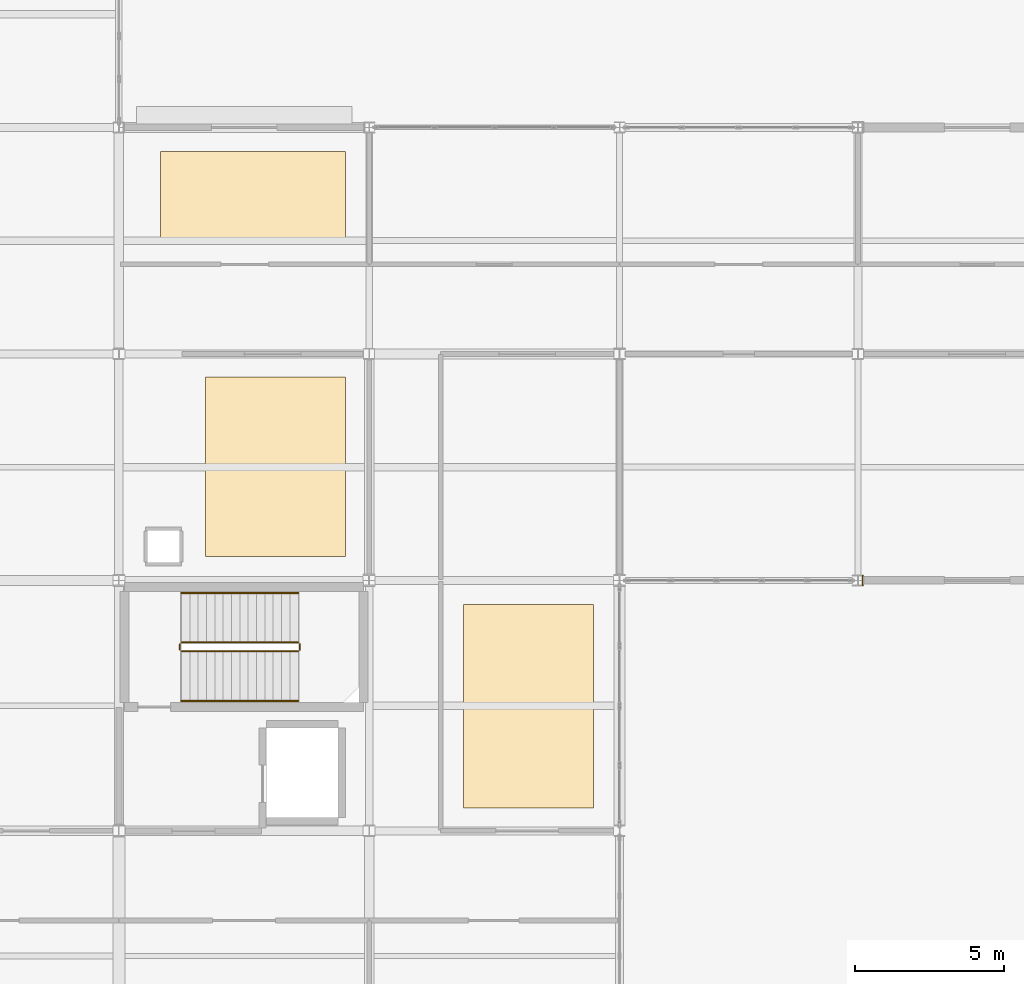
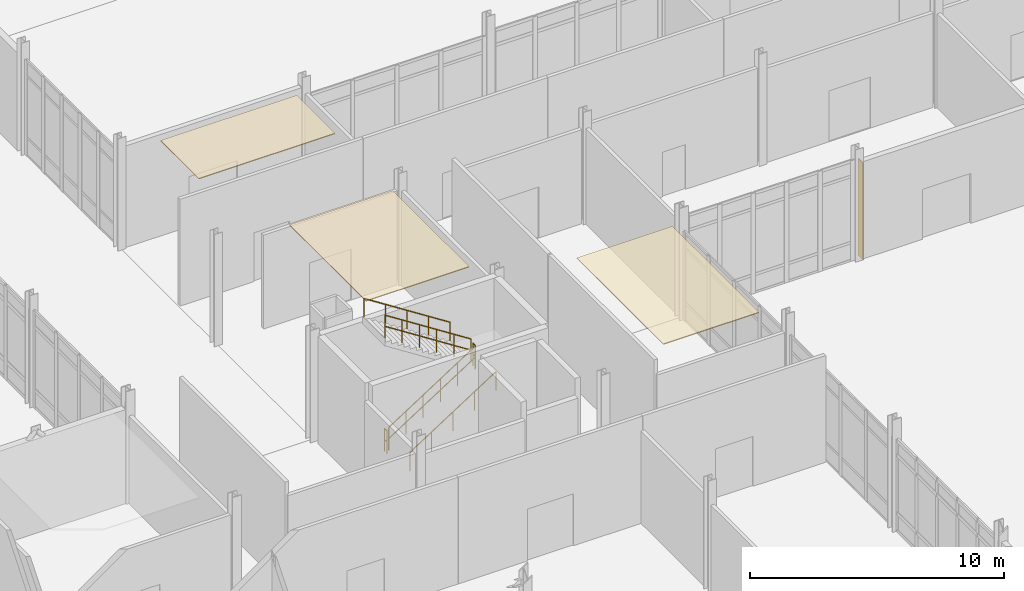
# One storey, part 211 of 229: 6 railings, 4 coverings.
"""IFC4 building model written with IfcOpenShell, lengths in metres."""

from ifc_helpers import new_model, si_unit, direction, frame, origin, origin_2d, place, context, subcontext, project, spatial, polyline, circle, outline, extrude, material, layer, layer_set, type_object, element, save


model = new_model("IFC4")

# Units and contexts
model_context = context("Model", 3, precision=1e-05, world=origin(), true_north=direction((0.0, 1.0)))
body_context = subcontext(model_context, "Body", "Model", "MODEL_VIEW")
ifc_project = project(units=[si_unit("LENGTHUNIT", "METRE"), si_unit("AREAUNIT", "SQUARE_METRE"), si_unit("VOLUMEUNIT", "CUBIC_METRE"), si_unit("PLANEANGLEUNIT", "RADIAN"), si_unit("MASSUNIT", "GRAM", prefix="KILO")], contexts=[model_context])

# Site, building, storey
site_placement = place(None, origin())
site = spatial("IfcSite", under=ifc_project, at=site_placement, CompositionType="ELEMENT")
building_placement = place(site_placement, origin())
building = spatial("IfcBuilding", under=site, at=building_placement, Name="Calvrana Isthmian Art Gallery", CompositionType="ELEMENT")
storey_placement = place(building_placement, origin())
storey = spatial("IfcBuildingStorey", under=building, at=storey_placement, Name="L00", CompositionType="ELEMENT", Elevation=0.0)

# Coverings
ifc_material_1 = material(Name="Acoustic gypsum ceiling", Category="gypsum")
ifc_layer_1 = layer(ifc_material_1, 0.0400390625, Name="Acoustic gypsum ceiling")
ifc_layer_set_1 = layer_set([ifc_layer_1], Name="Acoustic gypsum ceiling")
covering_type_1 = type_object("IfcCoveringType", Name="COV-CEIL-ACOUST", PredefinedType="CEILING", material=ifc_layer_set_1)
covering_1_placement = place(storey_placement, frame((0.0, 0.0, 5.1220703125)))
element("IfcCovering", 1, at=covering_1_placement, inside=storey, type_object=covering_type_1, Name="Gallery acoustic ceiling 03", PredefinedType="CEILING", context=body_context, shape_type="SweptSolid", body=[
    extrude(outline(polyline([(75.169921875, 39.169921875), (79.530029296875, 39.169921875), (79.530029296875, 46.0), (75.169921875, 46.0), (75.169921875, 39.169921875)])), origin(), (0.0, 0.0, 1.0), 0.0400390625),
])
covering_2_placement = place(storey_placement, frame((0.0, 0.0, 5.1220703125)))
element("IfcCovering", 2, at=covering_2_placement, inside=storey, type_object=covering_type_1, Name="Gallery acoustic ceiling 08", PredefinedType="CEILING", context=body_context, shape_type="SweptSolid", body=[
    extrude(outline(polyline([(66.5, 47.60009765625), (71.199951171875, 47.60009765625), (71.199951171875, 53.6298828125), (66.5, 53.6298828125), (66.5, 47.60009765625)])), origin(), (0.0, 0.0, 1.0), 0.0400390625),
])
covering_3_placement = place(storey_placement, frame((0.0, 0.0, 5.1220703125)))
element("IfcCovering", 3, at=covering_3_placement, inside=storey, type_object=covering_type_1, Name="Gallery acoustic ceiling 09", PredefinedType="CEILING", context=body_context, shape_type="SweptSolid", body=[
    extrude(outline(polyline([(65.0, 58.179931640625), (71.199951171875, 58.179931640625), (71.199951171875, 61.199951171875), (65.0, 61.199951171875), (65.0, 58.179931640625)])), origin(), (0.0, 0.0, 1.0), 0.0400390625),
])
ifc_material_2 = material(Name="Polychrome glazed terracotta", Category="masonry")
ifc_layer_2 = layer(ifc_material_2, 0.0400390625, Name="Polychrome glazed terracotta")
ifc_layer_set_2 = layer_set([ifc_layer_2], Name="Polychrome glazed terracotta")
covering_type_2 = type_object("IfcCoveringType", Name="COV-CLAD-TERRA", PredefinedType="CLADDING", material=ifc_layer_set_2)
covering_4_placement = place(storey_placement, origin())
element("IfcCovering", 4, at=covering_4_placement, inside=storey, type_object=covering_type_2, Name="Column pocket weather closure L00-11-06-W", PredefinedType="CLADDING", context=body_context, shape_type="SweptSolid", body=[
    extrude(outline(polyline([(88.5439453125, 46.626953125), (88.583984375, 46.626953125), (88.583984375, 46.972900390625), (88.5439453125, 46.972900390625), (88.5439453125, 46.626953125)])), origin(), (0.0, 0.0, 1.0), 4.677978515625),
])

# Railings
ifc_material_3 = material(Name="Stainless steel 316", Category="steel")
railing_type_1 = type_object("IfcRailingType", Name="RL-GUARD-1120", PredefinedType="BALUSTRADE", material=ifc_material_3)
railing_1_placement = place(storey_placement, frame((65.699951171875, 44.419921875, 0.179931640625)))
element("IfcRailing", 5, at=railing_1_placement, inside=storey, type_object=railing_type_1, Name="Stair ST-2 guard L00-1", PredefinedType="BALUSTRADE", context=body_context, shape_type="SweptSolid", body=[
    extrude(circle(Radius=0.02392578125, at=origin_2d()), frame((0.0, 0.0, 1.09619140625), z_axis=(0.841186985886, 0.0, 0.540744352514), x_axis=(0.0, 1.0, 0.0)), (0.0, 0.0, 1.0), 4.660400390625),
    extrude(circle(Radius=0.02392578125, at=origin_2d()), frame((0.0, 0.0, 0.56005859375), z_axis=(0.841186985886, 0.0, 0.540744352514), x_axis=(0.0, 1.0, 0.0)), (0.0, 0.0, 1.0), 4.660400390625),
    extrude(circle(Radius=0.02099609375, at=origin_2d()), origin(), (0.0, 0.0, 1.0), 1.072021484375),
    extrude(circle(Radius=0.02099609375, at=origin_2d()), frame((0.783935546875, 0.0, 0.50390625)), (0.0, 0.0, 1.0), 1.072021484375),
    extrude(circle(Radius=0.02099609375, at=origin_2d()), frame((1.568115234375, 0.0, 1.008056640625)), (0.0, 0.0, 1.0), 1.072021484375),
    extrude(circle(Radius=0.02099609375, at=origin_2d()), frame((2.35205078125, 0.0, 1.511962890625)), (0.0, 0.0, 1.0), 1.072021484375),
    extrude(circle(Radius=0.02099609375, at=origin_2d()), frame((3.13623046875, 0.0, 2.01611328125)), (0.0, 0.0, 1.0), 1.072021484375),
    extrude(circle(Radius=0.02099609375, at=origin_2d()), frame((3.920166015625, 0.0, 2.52001953125)), (0.0, 0.0, 1.0), 1.072021484375),
])
railing_2_placement = place(storey_placement, frame((69.669921875, 44.469970703125, 2.699951171875)))
element("IfcRailing", 6, at=railing_2_placement, inside=storey, type_object=railing_type_1, Name="Stair ST-2 guard L00-2", PredefinedType="BALUSTRADE", context=body_context, shape_type="SweptSolid", body=[
    extrude(circle(Radius=0.02392578125, at=origin_2d()), frame((0.0, 0.0, 1.09619140625), z_axis=(0.0, 1.0, 0.0), x_axis=(-1.0, 0.0, 0.0)), (0.0, 0.0, 1.0), 0.199951171875),
    extrude(circle(Radius=0.02392578125, at=origin_2d()), frame((0.0, 0.0, 0.56005859375), z_axis=(0.0, 1.0, 0.0), x_axis=(-1.0, 0.0, 0.0)), (0.0, 0.0, 1.0), 0.199951171875),
    extrude(circle(Radius=0.02099609375, at=origin_2d()), origin(), (0.0, 0.0, 1.0), 1.072021484375),
    extrude(circle(Radius=0.02099609375, at=origin_2d()), frame((0.0, 0.199951171875, 0.0)), (0.0, 0.0, 1.0), 1.072021484375),
])
railing_3_placement = place(storey_placement, frame((69.6201171875, 44.719970703125, 2.8798828125)))
element("IfcRailing", 7, at=railing_3_placement, inside=storey, type_object=railing_type_1, Name="Stair ST-2 guard L00-3", PredefinedType="BALUSTRADE", context=body_context, shape_type="SweptSolid", body=[
    extrude(circle(Radius=0.02392578125, at=origin_2d()), frame((0.0, 0.0, 1.09619140625), z_axis=(-0.841186985886, 0.0, 0.540744352514), x_axis=(0.0, -1.0, 0.0)), (0.0, 0.0, 1.0), 4.660400390625),
    extrude(circle(Radius=0.02392578125, at=origin_2d()), frame((0.0, 0.0, 0.56005859375), z_axis=(-0.841186985886, 0.0, 0.540744352514), x_axis=(0.0, -1.0, 0.0)), (0.0, 0.0, 1.0), 4.660400390625),
    extrude(circle(Radius=0.02099609375, at=origin_2d()), origin(), (0.0, 0.0, 1.0), 1.072021484375),
    extrude(circle(Radius=0.02099609375, at=origin_2d()), frame((-0.783935546875, 0.0, 0.50390625)), (0.0, 0.0, 1.0), 1.072021484375),
    extrude(circle(Radius=0.02099609375, at=origin_2d()), frame((-1.568115234375, 0.0, 1.008056640625)), (0.0, 0.0, 1.0), 1.072021484375),
    extrude(circle(Radius=0.02099609375, at=origin_2d()), frame((-2.35205078125, 0.0, 1.511962890625)), (0.0, 0.0, 1.0), 1.072021484375),
    extrude(circle(Radius=0.02099609375, at=origin_2d()), frame((-3.13623046875, 0.0, 2.01611328125)), (0.0, 0.0, 1.0), 1.072021484375),
    extrude(circle(Radius=0.02099609375, at=origin_2d()), frame((-3.920166015625, 0.0, 2.52001953125)), (0.0, 0.0, 1.0), 1.072021484375),
])
railing_4_placement = place(storey_placement, frame((65.64990234375, 44.469970703125, 0.0)))
element("IfcRailing", 8, at=railing_4_placement, inside=storey, type_object=railing_type_1, Name="Stair ST-2 guard L00-4", PredefinedType="BALUSTRADE", context=body_context, shape_type="SweptSolid", body=[
    extrude(circle(Radius=0.02392578125, at=origin_2d()), frame((0.0, 0.0, 1.09619140625), z_axis=(0.0, 1.0, 0.0), x_axis=(-1.0, 0.0, 0.0)), (0.0, 0.0, 1.0), 0.199951171875),
    extrude(circle(Radius=0.02392578125, at=origin_2d()), frame((0.0, 0.0, 0.56005859375), z_axis=(0.0, 1.0, 0.0), x_axis=(-1.0, 0.0, 0.0)), (0.0, 0.0, 1.0), 0.199951171875),
    extrude(circle(Radius=0.02099609375, at=origin_2d()), origin(), (0.0, 0.0, 1.0), 1.072021484375),
    extrude(circle(Radius=0.02099609375, at=origin_2d()), frame((0.0, 0.199951171875, 0.0)), (0.0, 0.0, 1.0), 1.072021484375),
])
railing_type_2 = type_object("IfcRailingType", Name="RL-HAND-920", PredefinedType="HANDRAIL", material=ifc_material_3)
railing_5_placement = place(storey_placement, frame((65.699951171875, 42.760009765625, 0.179931640625)))
element("IfcRailing", 9, at=railing_5_placement, inside=storey, type_object=railing_type_2, Name="Stair ST-2 handrail L00-1", PredefinedType="HANDRAIL", context=body_context, shape_type="SweptSolid", body=[
    extrude(circle(Radius=0.02392578125, at=origin_2d()), frame((0.0, 0.0, 0.89599609375), z_axis=(0.841186985886, 0.0, 0.540744352514), x_axis=(0.0, 1.0, 0.0)), (0.0, 0.0, 1.0), 4.660400390625),
    extrude(circle(Radius=0.02099609375, at=origin_2d()), origin(), (0.0, 0.0, 1.0), 0.871826171875),
    extrude(circle(Radius=0.02099609375, at=origin_2d()), frame((0.97998046875, 0.0, 0.6298828125)), (0.0, 0.0, 1.0), 0.871826171875),
    extrude(circle(Radius=0.02099609375, at=origin_2d()), frame((1.9599609375, 0.0, 1.260009765625)), (0.0, 0.0, 1.0), 0.871826171875),
    extrude(circle(Radius=0.02099609375, at=origin_2d()), frame((2.940185546875, 0.0, 1.89013671875)), (0.0, 0.0, 1.0), 0.871826171875),
    extrude(circle(Radius=0.02099609375, at=origin_2d()), frame((3.920166015625, 0.0, 2.52001953125)), (0.0, 0.0, 1.0), 0.871826171875),
])
railing_6_placement = place(storey_placement, frame((69.6201171875, 46.3798828125, 2.8798828125)))
element("IfcRailing", 10, at=railing_6_placement, inside=storey, type_object=railing_type_2, Name="Stair ST-2 handrail L00-2", PredefinedType="HANDRAIL", context=body_context, shape_type="SweptSolid", body=[
    extrude(circle(Radius=0.02392578125, at=origin_2d()), frame((0.0, 0.0, 0.89599609375), z_axis=(-0.841186985886, 0.0, 0.540744352514), x_axis=(0.0, -1.0, 0.0)), (0.0, 0.0, 1.0), 4.660400390625),
    extrude(circle(Radius=0.02099609375, at=origin_2d()), origin(), (0.0, 0.0, 1.0), 0.871826171875),
    extrude(circle(Radius=0.02099609375, at=origin_2d()), frame((-0.97998046875, 0.0, 0.6298828125)), (0.0, 0.0, 1.0), 0.871826171875),
    extrude(circle(Radius=0.02099609375, at=origin_2d()), frame((-1.9599609375, 0.0, 1.260009765625)), (0.0, 0.0, 1.0), 0.871826171875),
    extrude(circle(Radius=0.02099609375, at=origin_2d()), frame((-2.940185546875, 0.0, 1.89013671875)), (0.0, 0.0, 1.0), 0.871826171875),
    extrude(circle(Radius=0.02099609375, at=origin_2d()), frame((-3.920166015625, 0.0, 2.52001953125)), (0.0, 0.0, 1.0), 0.871826171875),
])

save(model, "model.ifc")
